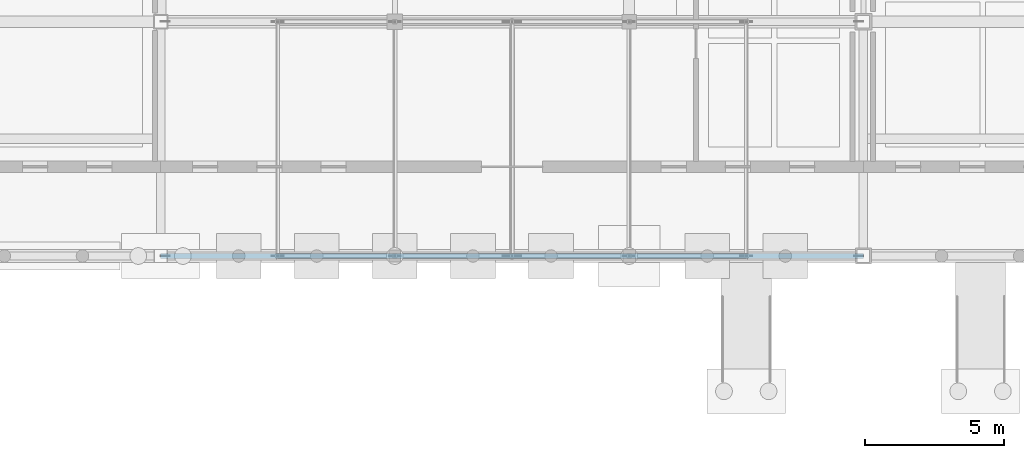
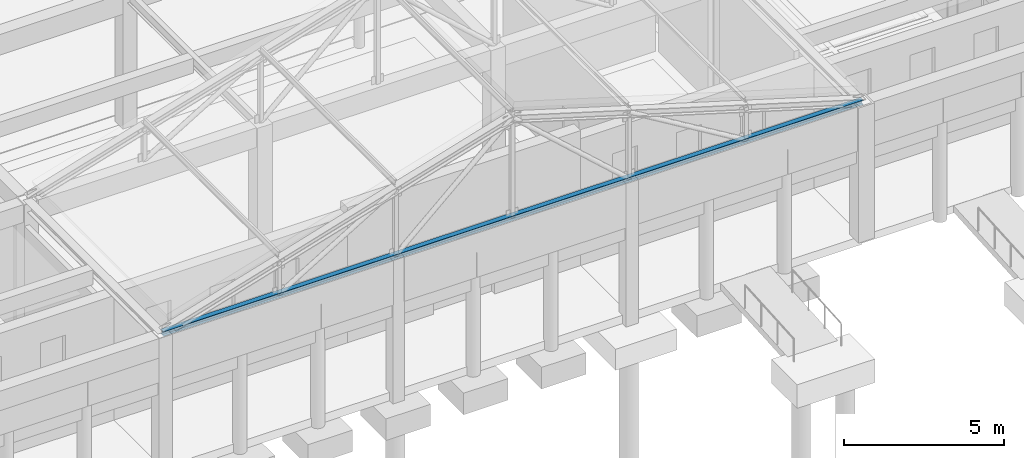
# One storey, part 23 of 143: 1 member.
"""IFC4 building model written with IfcOpenShell, lengths in metres."""

from ifc_helpers import new_model, si_unit, direction, frame, origin, origin_2d, place, context, subcontext, project, spatial, i_section, extrude, material, material_profile, profile_set, type_object, element, save


model = new_model("IFC4")

# Units and contexts
model_context = context("Model", 3, precision=1e-05, world=origin(), true_north=direction((0.0, 1.0)))
body_context = subcontext(model_context, "Body", "Model", "MODEL_VIEW")
ifc_project = project(units=[si_unit("LENGTHUNIT", "METRE"), si_unit("AREAUNIT", "SQUARE_METRE"), si_unit("VOLUMEUNIT", "CUBIC_METRE"), si_unit("PLANEANGLEUNIT", "RADIAN"), si_unit("MASSUNIT", "GRAM", prefix="KILO")], contexts=[model_context])

# Site, building, storey
site_placement = place(None, origin())
site = spatial("IfcSite", under=ifc_project, at=site_placement, CompositionType="ELEMENT")
building_placement = place(site_placement, origin())
building = spatial("IfcBuilding", under=site, at=building_placement, Name="Kveldsbrygga Polytechnic", CompositionType="ELEMENT")
storey_placement = place(building_placement, origin())
storey = spatial("IfcBuildingStorey", under=building, at=storey_placement, Name="L00", CompositionType="ELEMENT", Elevation=0.0)

# Member
ifc_material = material(Name="Steel S355", Category="steel")
ifc_material_profile = material_profile(ifc_material, i_section(OverallWidth=0.179931640625, OverallDepth=0.1708984375, WebThickness=0.006103515625, FlangeThickness=0.009521484375, FilletRadius=0.014892578125, at=origin_2d()), Name="HEA 180")
ifc_profile_set = profile_set([ifc_material_profile], Name="Steel S355")
member_type = type_object("IfcMemberType", Name="TR-BOT-HEA180", PredefinedType="CHORD", material=ifc_profile_set)
member_placement = place(storey_placement, frame((50.39990234375, 0.0, 5.139892578125), z_axis=(1.0, 0.0, 0.0), x_axis=(0.0, 1.0, 0.0)))
element("IfcMember", 1, at=member_placement, inside=storey, type_object=member_type, Name="Truss Bottom Chord V5P-T01-BC-1", PredefinedType="CHORD", context=body_context, shape_type="SweptSolid", body=[
    extrude(i_section(OverallWidth=0.179931640625, OverallDepth=0.1708984375, WebThickness=0.006103515625, FlangeThickness=0.009521484375, FilletRadius=0.014892578125, at=origin_2d()), origin(), (0.0, 0.0, 1.0), 25.2001953125),
])

save(model, "model.ifc")
